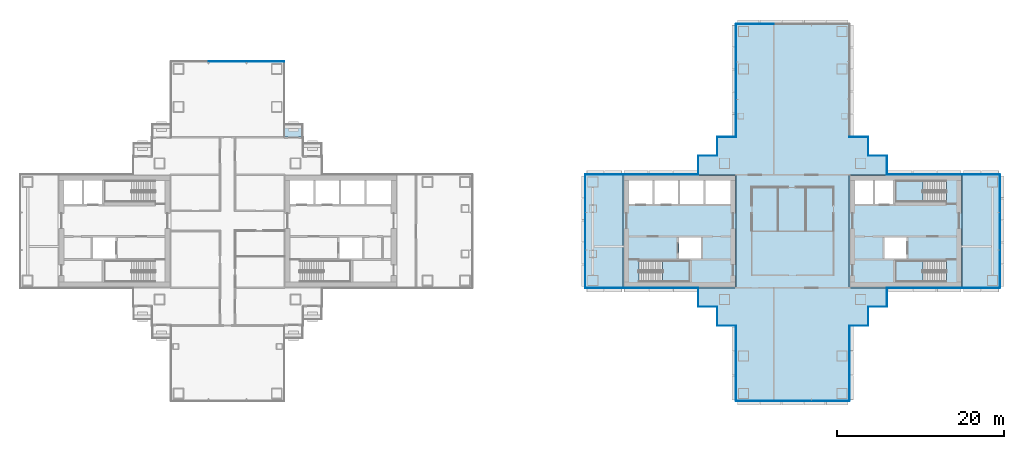
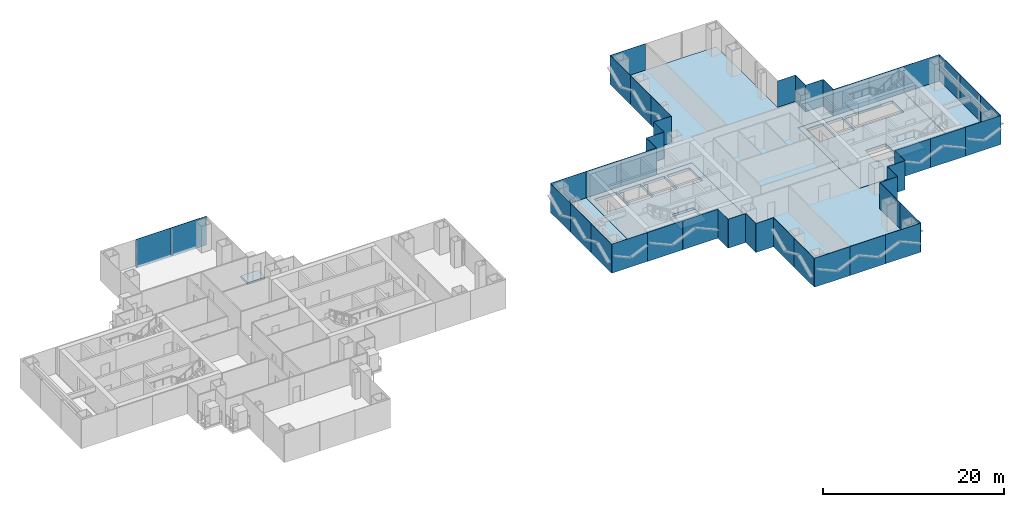
# One storey, part 10 of 20: 47 plates, 9 slabs, 23 elements without a shape of their own.
"""IFC4 building model written with IfcOpenShell, lengths in metres."""

import ifcopenshell
import ifcopenshell.guid

model = None  # the IFC model being written
_history = None  # IfcOwnerHistory: only IFC2X3 demands one
_inside = {}  # id of a spatial element -> (the spatial element, [elements in it])
_under = {}  # id of a project, library or spatial element -> (it, [spatial elements below it])
_declared = {}  # id of a project -> (the project, [libraries it declares])
_typed = {}  # id of a type object -> (the type object, [elements of that type])
_made_of = {}  # id of a material, layer set ... -> (it, [elements and type objects made of it])


def new_model(schema):
    """Start an empty IFC model of exactly this schema.

    Asked for "IFC4X3", IfcOpenShell would pick the latest addendum, in which some entities
    have other attributes; the version numbers below select the first issue.
    IFC2X3 requires an IfcOwnerHistory on every rooted entity: one is made here for all.
    """
    global model, _history
    if schema == "IFC4X3":
        model = ifcopenshell.file(schema_version=(4, 3, 0, 0))
    else:
        model = ifcopenshell.file(schema=schema)
    _inside.clear()
    _under.clear()
    _declared.clear()
    _typed.clear()
    _made_of.clear()
    _history = None
    if model.schema == "IFC2X3":
        org = make("IfcOrganization", Name="unknown")
        user = make(
            "IfcPersonAndOrganization",
            ThePerson=make("IfcPerson", FamilyName="unknown"),
            TheOrganization=org,
        )
        app = make(
            "IfcApplication",
            ApplicationDeveloper=org,
            Version="unknown",
            ApplicationFullName="unknown",
            ApplicationIdentifier="unknown",
        )
        _history = make(
            "IfcOwnerHistory",
            OwningUser=user,
            OwningApplication=app,
            ChangeAction="ADDED",
            CreationDate=0,
        )
    return model


def make(cls, **values):
    """One entity of the class cls with the attributes given. An attribute that is None is left unset."""
    return model.create_entity(
        cls, **{name: value for name, value in values.items() if value is not None}
    )


def rooted(cls, **values):
    """An entity with a GlobalId (a new one), such as an element, a storey or a relation."""
    return make(cls, GlobalId=ifcopenshell.guid.new(), OwnerHistory=_history, **values)


def si_unit(unit_type, name, prefix=None):
    """IfcSIUnit, for example si_unit("LENGTHUNIT", "METRE", prefix="MILLI")."""
    return make("IfcSIUnit", UnitType=unit_type, Prefix=prefix, Name=name)


def assignment(units):
    """IfcUnitAssignment: the units of a project."""
    return None if units is None else make("IfcUnitAssignment", Units=units)


def point(xyz):
    """IfcCartesianPoint."""
    return None if xyz is None else make("IfcCartesianPoint", Coordinates=xyz)


def direction(xyz):
    """IfcDirection."""
    return None if xyz is None else make("IfcDirection", DirectionRatios=xyz)


def frame(location, z_axis=None, x_axis=None):
    """IfcAxis2Placement3D, a coordinate frame: its origin and axes. An axis left out is left unset."""
    return make(
        "IfcAxis2Placement3D",
        Location=point(location),
        Axis=direction(z_axis),
        RefDirection=direction(x_axis),
    )


def frame_2d(location, x_axis=None):
    """IfcAxis2Placement2D, a coordinate frame in the plane: its origin and x axis."""
    return make(
        "IfcAxis2Placement2D", Location=point(location), RefDirection=direction(x_axis)
    )


def origin():
    """The frame at (0, 0, 0) with its axes left unset."""
    return frame((0.0, 0.0, 0.0))


def origin_2d():
    """The frame at (0, 0) in the plane with its x axis left unset."""
    return frame_2d((0.0, 0.0))


def place(relative_to, where):
    """IfcLocalPlacement: puts the frame where relative to a parent placement (None: the world)."""
    return make(
        "IfcLocalPlacement", PlacementRelTo=relative_to, RelativePlacement=where
    )


def context(
    kind, dimensions, precision=None, world=None, true_north=None, identifier=None
):
    """IfcGeometricRepresentationContext, for example the 3D "Model" context."""
    return make(
        "IfcGeometricRepresentationContext",
        ContextIdentifier=identifier,
        ContextType=kind,
        CoordinateSpaceDimension=dimensions,
        Precision=precision,
        WorldCoordinateSystem=world,
        TrueNorth=true_north,
    )


def subcontext(parent, identifier, kind, view, scale=None):
    """IfcGeometricRepresentationSubContext, for example "Body" below "Model"."""
    return make(
        "IfcGeometricRepresentationSubContext",
        ContextIdentifier=identifier,
        ContextType=kind,
        ParentContext=parent,
        TargetScale=scale,
        TargetView=view,
    )


def project(units=None, contexts=None):
    """IfcProject with its units and contexts."""
    return rooted(
        "IfcProject",
        Name="project",
        RepresentationContexts=contexts,
        UnitsInContext=assignment(units),
    )


def spatial(cls, under=None, at=None, **own):
    """A site, building, storey or space (cls), placed at a placement, below another one or the project."""
    s = rooted(cls, ObjectPlacement=at, **own)
    if under is not None:
        _under.setdefault(under.id(), (under, []))[1].append(s)
    return s


def polyline(points):
    """IfcPolyline through the points."""
    return make("IfcPolyline", Points=[point(p) for p in points])


def profile(cls, at=None, kind="AREA", **sizes):
    """A parametric profile (cls). Its sizes go by their IFC names, for example OverallWidth=200.0."""
    return make(cls, ProfileType=kind, Position=at, **sizes)


def rectangle(**sizes):
    """IfcRectangleProfileDef."""
    return profile("IfcRectangleProfileDef", **sizes)


def outline(outer, holes=None, kind="AREA"):
    """IfcArbitraryClosedProfileDef: a profile drawn as a closed curve; with holes, ...WithVoids."""
    if holes is None:
        return make("IfcArbitraryClosedProfileDef", ProfileType=kind, OuterCurve=outer)
    return make(
        "IfcArbitraryProfileDefWithVoids",
        ProfileType=kind,
        OuterCurve=outer,
        InnerCurves=holes,
    )


def extrude(swept, where, along, depth):
    """IfcExtrudedAreaSolid: the profile swept, set in the frame where, extruded along a direction by depth."""
    return make(
        "IfcExtrudedAreaSolid",
        SweptArea=swept,
        Position=where,
        ExtrudedDirection=direction(along),
        Depth=depth,
    )


def shape(context_of_items, identifier, shape_type, items):
    """IfcShapeRepresentation: the items that make up one representation, for example the "Body"."""
    return make(
        "IfcShapeRepresentation",
        ContextOfItems=context_of_items,
        RepresentationIdentifier=identifier,
        RepresentationType=shape_type,
        Items=items,
    )


def material(Name=None, Category=None):
    """IfcMaterial."""
    return make("IfcMaterial", Name=Name, Category=Category)


def layer(
    of_material, thickness, ventilated=None, Name=None, Category=None, Priority=None
):
    """IfcMaterialLayer: one layer of a wall or slab, of a material (None: an air gap)."""
    return make(
        "IfcMaterialLayer",
        Material=of_material,
        LayerThickness=thickness,
        IsVentilated=ventilated,
        Name=Name,
        Category=Category,
        Priority=Priority,
    )


def layer_set(layers, Name=None):
    """IfcMaterialLayerSet."""
    return make("IfcMaterialLayerSet", MaterialLayers=layers, LayerSetName=Name)


def made_of(thing, what):
    """Note that an element or type object is made of a material, layer set ...; save() writes the relation."""
    if what is not None:
        _made_of.setdefault(what.id(), (what, []))[1].append(thing)
    return thing


def type_object(cls, material=None, **own):
    """A type object (cls), such as IfcWallType, which elements share."""
    return made_of(rooted(cls, **own), material)


def element(
    cls,
    number,
    at=None,
    inside=None,
    cuts=None,
    type_object=None,
    material=None,
    context=None,
    identifier="Body",
    shape_type=None,
    held_by="IfcProductDefinitionShape",
    body=None,
    shapes=None,
    **own,
):
    """One element of the class cls, such as IfcWall. Its Tag is "e" and its number.

    at: its placement. inside: the storey or other place that contains it. cuts: it is an
    opening in that element (IfcRelVoidsElement). A single representation is given by context,
    identifier, shape_type and body (its items); several are given by shapes. held_by: the class
    of the entity that holds the representations. save() writes the other relations.
    """
    e = rooted(cls, Tag="e%d" % number, ObjectPlacement=at, **own)
    if body is not None:
        shapes = [shape(context, identifier, shape_type, body)]
    if shapes is not None:
        e.Representation = make(held_by, Representations=shapes)
    if inside is not None:
        _inside.setdefault(inside.id(), (inside, []))[1].append(e)
    if cuts is not None:
        rooted(
            "IfcRelVoidsElement", RelatingBuildingElement=cuts, RelatedOpeningElement=e
        )
    if type_object is not None:
        _typed.setdefault(type_object.id(), (type_object, []))[1].append(e)
    return made_of(e, material)


def aggregate(whole, parts):
    """IfcRelAggregates: a whole, such as a stair, and the parts it consists of."""
    return rooted("IfcRelAggregates", RelatingObject=whole, RelatedObjects=parts)


def save(model, path):
    """Write the relations noted so far, then the file.

    IfcRelAggregates (storeys below a building ...), IfcRelContainedInSpatialStructure (elements
    in a storey), IfcRelDefinesByType, IfcRelAssociatesMaterial and IfcRelDeclares: one each for
    every whole, place, type object, material and project.
    """
    for whole, parts in _under.values():
        aggregate(whole, parts)
    for where, things in _inside.values():
        rooted(
            "IfcRelContainedInSpatialStructure",
            RelatedElements=things,
            RelatingStructure=where,
        )
    for kind, things in _typed.values():
        rooted("IfcRelDefinesByType", RelatedObjects=things, RelatingType=kind)
    for what, things in _made_of.values():
        rooted("IfcRelAssociatesMaterial", RelatedObjects=things, RelatingMaterial=what)
    for by, libraries in _declared.values():
        rooted("IfcRelDeclares", RelatingContext=by, RelatedDefinitions=libraries)
    model.write(path)


model = new_model("IFC4")

# Units and contexts
model_context = context("Model", 3, precision=1e-05, world=origin(), true_north=direction((0.0, 1.0)))
body_context = subcontext(model_context, "Body", "Model", "MODEL_VIEW")
ifc_project = project(units=[si_unit("LENGTHUNIT", "METRE"), si_unit("AREAUNIT", "SQUARE_METRE"), si_unit("VOLUMEUNIT", "CUBIC_METRE"), si_unit("PLANEANGLEUNIT", "RADIAN"), si_unit("MASSUNIT", "GRAM", prefix="KILO")], contexts=[model_context])

# Site, building, storey
site_placement = place(None, origin())
site = spatial("IfcSite", under=ifc_project, at=site_placement, CompositionType="ELEMENT")
building_placement = place(site_placement, origin())
building = spatial("IfcBuilding", under=site, at=building_placement, Name="Shamsa Quay Exchange Towers", CompositionType="ELEMENT")
storey_placement = place(building_placement, frame((0.0, 0.0, 101.39990234375)))
storey = spatial("IfcBuildingStorey", under=building, at=storey_placement, Name="L23", CompositionType="ELEMENT", Elevation=101.39990234375)

# Slabs
ifc_material_1 = material(Name="Precast concrete C40/50", Category="concrete")
ifc_layer_1 = layer(ifc_material_1, 0.25)
ifc_layer_set_1 = layer_set([ifc_layer_1], Name="BALCONY SLAB 250")
slab_type_1 = type_object("IfcSlabType", Name="BALCONY SLAB 250", PredefinedType="FLOOR", material=ifc_layer_set_1)
slab_1_placement = place(storey_placement, frame((0.0, 0.0, -0.25)))
element("IfcSlab", 1, at=slab_1_placement, inside=storey, type_object=slab_type_1, Name="Balcony T1-PKEN L23", PredefinedType="FLOOR", context=body_context, shape_type="SweptSolid", body=[
    extrude(outline(polyline([(-24.75, 11.25), (-26.9619140625, 11.25), (-26.9619140625, 12.800048828125), (-24.75, 12.800048828125), (-24.75, 11.25)])), origin(), (0.0, 0.0, 1.0), 0.25),
])
ifc_material_2 = material(Name="Concrete C50/60", Category="concrete")
ifc_layer_2 = layer(ifc_material_2, 0.35009765625)
ifc_layer_set_2 = layer_set([ifc_layer_2], Name="CORE FLOOR 350 C50/60")
slab_type_2 = type_object("IfcSlabType", Name="CORE FLOOR 350 C50/60", PredefinedType="FLOOR", material=ifc_layer_set_2)
slab_2_placement = place(storey_placement, frame((0.0, 0.0, -0.349853515625)))
element("IfcSlab", 2, at=slab_2_placement, inside=storey, type_object=slab_type_2, Name="Core floor T2A", PredefinedType="FLOOR", context=body_context, shape_type="SweptSolid", body=[
    extrude(outline(polyline([(13.5, -6.75), (27.0, -6.75), (27.0, 6.75), (13.5, 6.75), (13.5, -6.75)]), holes=[polyline([(15.400634765625, -6.050048828125), (15.400634765625, -3.5), (21.5, -3.5), (21.5, -6.050048828125), (15.400634765625, -6.050048828125)]), polyline([(14.199951171875, 3.25), (14.199951171875, 6.050048828125), (17.0, 6.050048828125), (17.0, 3.25), (14.199951171875, 3.25)]), polyline([(17.25, 3.25), (17.25, 6.050048828125), (20.050048828125, 6.050048828125), (20.050048828125, 3.25), (17.25, 3.25)]), polyline([(20.300048828125, 3.25), (20.300048828125, 6.050048828125), (23.10009765625, 6.050048828125), (23.10009765625, 3.25), (20.300048828125, 3.25)]), polyline([(23.35009765625, 3.25), (23.35009765625, 6.050048828125), (26.300048828125, 6.050048828125), (26.300048828125, 3.25), (23.35009765625, 3.25)]), polyline([(20.14990234375, -3.25), (20.14990234375, -0.75), (22.800048828125, -0.75), (22.800048828125, -3.25), (20.14990234375, -3.25)])]), origin(), (0.0, 0.0, 1.0), 0.349853515625),
])
slab_3_placement = place(storey_placement, frame((0.0, 0.0, -0.349853515625)))
element("IfcSlab", 3, at=slab_3_placement, inside=storey, type_object=slab_type_2, Name="Core floor T2B", PredefinedType="FLOOR", context=body_context, shape_type="SweptSolid", body=[
    extrude(outline(polyline([(54.0, -6.75), (54.0, 6.75), (40.5, 6.75), (40.5, -6.75), (54.0, -6.75)]), holes=[polyline([(52.099365234375, -3.5), (52.099365234375, -6.050048828125), (46.0, -6.050048828125), (46.0, -3.5), (52.099365234375, -3.5)]), polyline([(52.099365234375, 6.050048828125), (52.099365234375, 3.5), (46.0, 3.5), (46.0, 6.050048828125), (52.099365234375, 6.050048828125)]), polyline([(45.75, 3.25), (43.60009765625, 3.25), (43.60009765625, 6.050048828125), (45.75, 6.050048828125), (45.75, 3.25)]), polyline([(43.35009765625, 3.25), (41.199951171875, 3.25), (41.199951171875, 6.050048828125), (43.35009765625, 6.050048828125), (43.35009765625, 3.25)]), polyline([(47.35009765625, -3.25), (44.699951171875, -3.25), (44.699951171875, -0.75), (47.35009765625, -0.75), (47.35009765625, -3.25)])]), origin(), (0.0, 0.0, 1.0), 0.349853515625),
])

# Stair, slab
ifc_material_3 = material(Name="Concrete C40/50", Category="concrete")
stair_type = type_object("IfcStairType", Name="EXIT STAIR 22 RISERS 177 MM", PredefinedType="HALF_TURN_STAIR", material=ifc_material_3)
stair_1_placement = place(storey_placement, origin())
stair_1 = element("IfcStair", 4, at=stair_1_placement, inside=storey, type_object=stair_type, Name="L23 Exit stair ST4", PredefinedType="HALF_TURN_STAIR")
ifc_layer_3 = layer(ifc_material_3, 0.199951171875)
ifc_layer_set_3 = layer_set([ifc_layer_3], Name="CORE STAIR LANDING")
slab_type_3 = type_object("IfcSlabType", Name="CORE STAIR LANDING", PredefinedType="LANDING", material=ifc_layer_set_3)
slab_4_placement = place(storey_placement, frame((0.0, 0.0, 1.75)))
slab_4 = element("IfcSlab", 5, at=slab_4_placement, type_object=slab_type_3, Name="ST4 landing 1", PredefinedType="LANDING", context=body_context, shape_type="SweptSolid", body=[
    extrude(outline(polyline([(18.199951171875, -6.050048828125), (21.5, -6.050048828125), (21.5, -3.5), (18.199951171875, -3.5), (18.199951171875, -6.050048828125)])), origin(), (0.0, 0.0, 1.0), 0.2001953125),
])
aggregate(stair_1, [slab_4])

stair_2_placement = place(storey_placement, origin())
stair_2 = element("IfcStair", 6, at=stair_2_placement, inside=storey, type_object=stair_type, Name="L23 Exit stair ST5", PredefinedType="HALF_TURN_STAIR")
slab_5_placement = place(storey_placement, frame((0.0, 0.0, 1.75)))
slab_5 = element("IfcSlab", 7, at=slab_5_placement, type_object=slab_type_3, Name="ST5 landing 1", PredefinedType="LANDING", context=body_context, shape_type="SweptSolid", body=[
    extrude(outline(polyline([(49.300048828125, -3.5), (46.0, -3.5), (46.0, -6.050048828125), (49.300048828125, -6.050048828125), (49.300048828125, -3.5)])), origin(), (0.0, 0.0, 1.0), 0.2001953125),
])
aggregate(stair_2, [slab_5])

stair_3_placement = place(storey_placement, origin())
stair_3 = element("IfcStair", 8, at=stair_3_placement, inside=storey, type_object=stair_type, Name="L23 Exit stair ST6", PredefinedType="HALF_TURN_STAIR")
slab_6_placement = place(storey_placement, frame((0.0, 0.0, 1.75)))
slab_6 = element("IfcSlab", 9, at=slab_6_placement, type_object=slab_type_3, Name="ST6 landing 1", PredefinedType="LANDING", context=body_context, shape_type="SweptSolid", body=[
    extrude(outline(polyline([(49.300048828125, 6.050048828125), (46.0, 6.050048828125), (46.0, 3.5), (49.300048828125, 3.5), (49.300048828125, 6.050048828125)])), origin(), (0.0, 0.0, 1.0), 0.2001953125),
])
aggregate(stair_3, [slab_6])

# Curtain wall, plates
ifc_material_4 = material(Name="Aluminium EN AW-6063 T6, black anodised", Category="aluminium")
ifc_layer_4 = layer(ifc_material_4, 0.280029296875)
ifc_layer_set_4 = layer_set([ifc_layer_4], Name="CW-1 UNITISED VISION GLASS")
curtain_wall_type_1 = type_object("IfcCurtainWallType", Name="CW-1 UNITISED VISION GLASS", PredefinedType="NOTDEFINED", material=ifc_layer_set_4)
curtain_wall_1_placement = place(storey_placement, origin())
curtain_wall_1 = element("IfcCurtainWall", 10, at=curtain_wall_1_placement, inside=storey, type_object=curtain_wall_type_1, Name="CW1 T1-END-V+ L23", PredefinedType="NOTDEFINED")
ifc_material_5 = material(Name="Glass, laminated, dark tinted", Category="glass")
ifc_layer_5 = layer(ifc_material_5, 0.0400390625)
ifc_layer_set_5 = layer_set([ifc_layer_5], Name="CW-1 VISION GLASS 40")
plate_type_1 = type_object("IfcPlateType", Name="CW-1 VISION GLASS 40", PredefinedType="CURTAIN_PANEL", material=ifc_layer_set_5)
plate_1_placement = place(storey_placement, frame((-29.24755859375, 20.27001953125, -0.349853515625), z_axis=(0.0, 0.0, 1.0), x_axis=(-1.0, 0.0, 0.0)))
plate_1 = element("IfcPlate", 11, at=plate_1_placement, type_object=plate_type_1, Name="CW1 glass panel", PredefinedType="CURTAIN_PANEL", context=body_context, shape_type="SweptSolid", body=[
    extrude(rectangle(XDim=4.4951171875, YDim=0.0400390625, at=origin_2d()), origin(), (0.0, 0.0, 1.0), 3.89990234375),
])
plate_2_placement = place(storey_placement, frame((-33.75, 20.27001953125, -0.349853515625), z_axis=(0.0, 0.0, 1.0), x_axis=(-1.0, 0.0, 0.0)))
plate_2 = element("IfcPlate", 12, at=plate_2_placement, type_object=plate_type_1, Name="CW1 glass panel", PredefinedType="CURTAIN_PANEL", context=body_context, shape_type="SweptSolid", body=[
    extrude(rectangle(XDim=4.489990234375, YDim=0.0400390625, at=origin_2d()), origin(), (0.0, 0.0, 1.0), 3.89990234375),
])
aggregate(curtain_wall_1, [plate_1, plate_2])

# Curtain wall, plate
curtain_wall_2_placement = place(storey_placement, origin())
curtain_wall_2 = element("IfcCurtainWall", 13, at=curtain_wall_2_placement, inside=storey, type_object=curtain_wall_type_1, Name="CW1 T2-FLK-V-W L23", PredefinedType="NOTDEFINED")
plate_3_placement = place(storey_placement, frame((56.25, -6.77001953125, -0.349853515625)))
plate_3 = element("IfcPlate", 14, at=plate_3_placement, type_object=plate_type_1, Name="CW1 glass panel", PredefinedType="CURTAIN_PANEL", context=body_context, shape_type="SweptSolid", body=[
    extrude(rectangle(XDim=4.5, YDim=0.0400390625, at=origin_2d()), origin(), (0.0, 0.0, 1.0), 3.89990234375),
])
aggregate(curtain_wall_2, [plate_3])

# Curtain wall, plates
curtain_wall_3_placement = place(storey_placement, origin())
curtain_wall_3 = element("IfcCurtainWall", 15, at=curtain_wall_3_placement, inside=storey, type_object=curtain_wall_type_1, Name="CW1 T2-END-V- L23", PredefinedType="NOTDEFINED")
plate_4_placement = place(storey_placement, frame((58.52001953125, -4.50244140625, -0.349853515625), z_axis=(0.0, 0.0, 1.0), x_axis=(0.0, 1.0, 0.0)))
plate_4 = element("IfcPlate", 16, at=plate_4_placement, type_object=plate_type_1, Name="CW1 glass panel", PredefinedType="CURTAIN_PANEL", context=body_context, shape_type="SweptSolid", body=[
    extrude(rectangle(XDim=4.4951171875, YDim=0.0400390625, at=origin_2d()), origin(), (0.0, 0.0, 1.0), 3.89990234375),
])
plate_5_placement = place(storey_placement, frame((58.52001953125, 0.0, -0.349853515625), z_axis=(0.0, 0.0, 1.0), x_axis=(0.0, 1.0, 0.0)))
plate_5 = element("IfcPlate", 17, at=plate_5_placement, type_object=plate_type_1, Name="CW1 glass panel", PredefinedType="CURTAIN_PANEL", context=body_context, shape_type="SweptSolid", body=[
    extrude(rectangle(XDim=4.489990234375, YDim=0.0400390625, at=origin_2d()), origin(), (0.0, 0.0, 1.0), 3.89990234375),
])
plate_6_placement = place(storey_placement, frame((58.52001953125, 4.50244140625, -0.349853515625), z_axis=(0.0, 0.0, 1.0), x_axis=(0.0, 1.0, 0.0)))
plate_6 = element("IfcPlate", 18, at=plate_6_placement, type_object=plate_type_1, Name="CW1 glass panel", PredefinedType="CURTAIN_PANEL", context=body_context, shape_type="SweptSolid", body=[
    extrude(rectangle(XDim=4.4951171875, YDim=0.0400390625, at=origin_2d()), origin(), (0.0, 0.0, 1.0), 3.89990234375),
])
aggregate(curtain_wall_3, [plate_4, plate_5, plate_6])

# Curtain wall, plate
curtain_wall_4_placement = place(storey_placement, origin())
curtain_wall_4 = element("IfcCurtainWall", 19, at=curtain_wall_4_placement, inside=storey, type_object=curtain_wall_type_1, Name="CW1 T2-FLK-V-E L23", PredefinedType="NOTDEFINED")
plate_7_placement = place(storey_placement, frame((56.25, 6.77001953125, -0.349853515625), z_axis=(0.0, 0.0, 1.0), x_axis=(-1.0, 0.0, 0.0)))
plate_7 = element("IfcPlate", 20, at=plate_7_placement, type_object=plate_type_1, Name="CW1 glass panel", PredefinedType="CURTAIN_PANEL", context=body_context, shape_type="SweptSolid", body=[
    extrude(rectangle(XDim=4.5, YDim=0.0400390625, at=origin_2d()), origin(), (0.0, 0.0, 1.0), 3.89990234375),
])
aggregate(curtain_wall_4, [plate_7])

curtain_wall_5_placement = place(storey_placement, origin())
curtain_wall_5 = element("IfcCurtainWall", 21, at=curtain_wall_5_placement, inside=storey, type_object=curtain_wall_type_1, Name="CW1 T2-END-U+ L23", PredefinedType="NOTDEFINED")
plate_8_placement = place(storey_placement, frame((29.24755859375, 24.77001953125, -0.349853515625), z_axis=(0.0, 0.0, 1.0), x_axis=(-1.0, 0.0, 0.0)))
plate_8 = element("IfcPlate", 22, at=plate_8_placement, type_object=plate_type_1, Name="CW1 glass panel", PredefinedType="CURTAIN_PANEL", context=body_context, shape_type="SweptSolid", body=[
    extrude(rectangle(XDim=4.4951171875, YDim=0.0400390625, at=origin_2d()), origin(), (0.0, 0.0, 1.0), 3.89990234375),
])
aggregate(curtain_wall_5, [plate_8])

# Curtain wall, plates
curtain_wall_6_placement = place(storey_placement, origin())
curtain_wall_6 = element("IfcCurtainWall", 23, at=curtain_wall_6_placement, inside=storey, type_object=curtain_wall_type_1, Name="CW1 T2-FLK-U+N L23", PredefinedType="NOTDEFINED")
plate_9_placement = place(storey_placement, frame((26.97998046875, 22.50244140625, -0.349853515625), z_axis=(0.0, 0.0, 1.0), x_axis=(0.0, -1.0, 0.0)))
plate_9 = element("IfcPlate", 24, at=plate_9_placement, type_object=plate_type_1, Name="CW1 glass panel", PredefinedType="CURTAIN_PANEL", context=body_context, shape_type="SweptSolid", body=[
    extrude(rectangle(XDim=4.4951171875, YDim=0.0400390625, at=origin_2d()), origin(), (0.0, 0.0, 1.0), 3.89990234375),
])
plate_10_placement = place(storey_placement, frame((26.97998046875, 18.0, -0.349853515625), z_axis=(0.0, 0.0, 1.0), x_axis=(0.0, -1.0, 0.0)))
plate_10 = element("IfcPlate", 25, at=plate_10_placement, type_object=plate_type_1, Name="CW1 glass panel", PredefinedType="CURTAIN_PANEL", context=body_context, shape_type="SweptSolid", body=[
    extrude(rectangle(XDim=4.489990234375, YDim=0.0400390625, at=origin_2d()), origin(), (0.0, 0.0, 1.0), 3.89990234375),
])
plate_11_placement = place(storey_placement, frame((26.97998046875, 13.49755859375, -0.349853515625), z_axis=(0.0, 0.0, 1.0), x_axis=(0.0, -1.0, 0.0)))
plate_11 = element("IfcPlate", 26, at=plate_11_placement, type_object=plate_type_1, Name="CW1 glass panel", PredefinedType="CURTAIN_PANEL", context=body_context, shape_type="SweptSolid", body=[
    extrude(rectangle(XDim=4.4951171875, YDim=0.0400390625, at=origin_2d()), origin(), (0.0, 0.0, 1.0), 3.89990234375),
])
aggregate(curtain_wall_6, [plate_9, plate_10, plate_11])

# Curtain wall, plate
curtain_wall_7_placement = place(storey_placement, origin())
curtain_wall_7 = element("IfcCurtainWall", 27, at=curtain_wall_7_placement, inside=storey, type_object=curtain_wall_type_1, Name="CW1 T2-FLK-V+E L23", PredefinedType="NOTDEFINED")
plate_12_placement = place(storey_placement, frame((11.25, 6.77001953125, -0.349853515625), z_axis=(0.0, 0.0, 1.0), x_axis=(-1.0, 0.0, 0.0)))
plate_12 = element("IfcPlate", 28, at=plate_12_placement, type_object=plate_type_1, Name="CW1 glass panel", PredefinedType="CURTAIN_PANEL", context=body_context, shape_type="SweptSolid", body=[
    extrude(rectangle(XDim=4.5, YDim=0.0400390625, at=origin_2d()), origin(), (0.0, 0.0, 1.0), 3.89990234375),
])
aggregate(curtain_wall_7, [plate_12])

# Curtain wall, plates
curtain_wall_8_placement = place(storey_placement, origin())
curtain_wall_8 = element("IfcCurtainWall", 29, at=curtain_wall_8_placement, inside=storey, type_object=curtain_wall_type_1, Name="CW1 T2-END-V+ L23", PredefinedType="NOTDEFINED")
plate_13_placement = place(storey_placement, frame((8.97998046875, 4.50244140625, -0.349853515625), z_axis=(0.0, 0.0, 1.0), x_axis=(0.0, -1.0, 0.0)))
plate_13 = element("IfcPlate", 30, at=plate_13_placement, type_object=plate_type_1, Name="CW1 glass panel", PredefinedType="CURTAIN_PANEL", context=body_context, shape_type="SweptSolid", body=[
    extrude(rectangle(XDim=4.4951171875, YDim=0.0400390625, at=origin_2d()), origin(), (0.0, 0.0, 1.0), 3.89990234375),
])
plate_14_placement = place(storey_placement, frame((8.97998046875, 0.0, -0.349853515625), z_axis=(0.0, 0.0, 1.0), x_axis=(0.0, -1.0, 0.0)))
plate_14 = element("IfcPlate", 31, at=plate_14_placement, type_object=plate_type_1, Name="CW1 glass panel", PredefinedType="CURTAIN_PANEL", context=body_context, shape_type="SweptSolid", body=[
    extrude(rectangle(XDim=4.489990234375, YDim=0.0400390625, at=origin_2d()), origin(), (0.0, 0.0, 1.0), 3.89990234375),
])
plate_15_placement = place(storey_placement, frame((8.97998046875, -4.50244140625, -0.349853515625), z_axis=(0.0, 0.0, 1.0), x_axis=(0.0, -1.0, 0.0)))
plate_15 = element("IfcPlate", 32, at=plate_15_placement, type_object=plate_type_1, Name="CW1 glass panel", PredefinedType="CURTAIN_PANEL", context=body_context, shape_type="SweptSolid", body=[
    extrude(rectangle(XDim=4.4951171875, YDim=0.0400390625, at=origin_2d()), origin(), (0.0, 0.0, 1.0), 3.89990234375),
])
aggregate(curtain_wall_8, [plate_13, plate_14, plate_15])

# Curtain wall, plate
curtain_wall_9_placement = place(storey_placement, origin())
curtain_wall_9 = element("IfcCurtainWall", 33, at=curtain_wall_9_placement, inside=storey, type_object=curtain_wall_type_1, Name="CW1 T2-FLK-V+W L23", PredefinedType="NOTDEFINED")
plate_16_placement = place(storey_placement, frame((11.25, -6.77001953125, -0.349853515625)))
plate_16 = element("IfcPlate", 34, at=plate_16_placement, type_object=plate_type_1, Name="CW1 glass panel", PredefinedType="CURTAIN_PANEL", context=body_context, shape_type="SweptSolid", body=[
    extrude(rectangle(XDim=4.5, YDim=0.0400390625, at=origin_2d()), origin(), (0.0, 0.0, 1.0), 3.89990234375),
])
aggregate(curtain_wall_9, [plate_16])

# Curtain wall, plates
curtain_wall_10_placement = place(storey_placement, origin())
curtain_wall_10 = element("IfcCurtainWall", 35, at=curtain_wall_10_placement, inside=storey, type_object=curtain_wall_type_1, Name="CW1 T2-FLK-U-N L23", PredefinedType="NOTDEFINED")
plate_17_placement = place(storey_placement, frame((26.97998046875, -13.52587890625, -0.349853515625), z_axis=(0.0, 0.0, 1.0), x_axis=(0.0, -1.0, 0.0)))
plate_17 = element("IfcPlate", 36, at=plate_17_placement, type_object=plate_type_1, Name="CW1 glass panel", PredefinedType="CURTAIN_PANEL", context=body_context, shape_type="SweptSolid", body=[
    extrude(rectangle(XDim=4.47607421875, YDim=0.0400390625, at=origin_2d()), origin(), (0.0, 0.0, 1.0), 3.89990234375),
])
plate_18_placement = place(storey_placement, frame((26.97998046875, -18.011962890625, -0.349853515625), z_axis=(0.0, 0.0, 1.0), x_axis=(0.0, -1.0, 0.0)))
plate_18 = element("IfcPlate", 37, at=plate_18_placement, type_object=plate_type_1, Name="CW1 glass panel", PredefinedType="CURTAIN_PANEL", context=body_context, shape_type="SweptSolid", body=[
    extrude(rectangle(XDim=4.47607421875, YDim=0.0400390625, at=origin_2d()), origin(), (0.0, 0.0, 1.0), 3.89990234375),
])
aggregate(curtain_wall_10, [plate_17, plate_18])

curtain_wall_11_placement = place(storey_placement, origin())
curtain_wall_11 = element("IfcCurtainWall", 38, at=curtain_wall_11_placement, inside=storey, type_object=curtain_wall_type_1, Name="CW1 T2-END-U- L23", PredefinedType="NOTDEFINED")
plate_19_placement = place(storey_placement, frame((29.24755859375, -20.27001953125, -0.349853515625)))
plate_19 = element("IfcPlate", 39, at=plate_19_placement, type_object=plate_type_1, Name="CW1 glass panel", PredefinedType="CURTAIN_PANEL", context=body_context, shape_type="SweptSolid", body=[
    extrude(rectangle(XDim=4.4951171875, YDim=0.0400390625, at=origin_2d()), origin(), (0.0, 0.0, 1.0), 3.89990234375),
])
plate_20_placement = place(storey_placement, frame((33.75, -20.27001953125, -0.349853515625)))
plate_20 = element("IfcPlate", 40, at=plate_20_placement, type_object=plate_type_1, Name="CW1 glass panel", PredefinedType="CURTAIN_PANEL", context=body_context, shape_type="SweptSolid", body=[
    extrude(rectangle(XDim=4.489990234375, YDim=0.0400390625, at=origin_2d()), origin(), (0.0, 0.0, 1.0), 3.89990234375),
])
plate_21_placement = place(storey_placement, frame((38.25244140625, -20.27001953125, -0.349853515625)))
plate_21 = element("IfcPlate", 41, at=plate_21_placement, type_object=plate_type_1, Name="CW1 glass panel", PredefinedType="CURTAIN_PANEL", context=body_context, shape_type="SweptSolid", body=[
    extrude(rectangle(XDim=4.4951171875, YDim=0.0400390625, at=origin_2d()), origin(), (0.0, 0.0, 1.0), 3.89990234375),
])
aggregate(curtain_wall_11, [plate_19, plate_20, plate_21])

curtain_wall_12_placement = place(storey_placement, origin())
curtain_wall_12 = element("IfcCurtainWall", 42, at=curtain_wall_12_placement, inside=storey, type_object=curtain_wall_type_1, Name="CW1 T2-FLK-U-S L23", PredefinedType="NOTDEFINED")
plate_22_placement = place(storey_placement, frame((40.52001953125, -18.00244140625, -0.349853515625), z_axis=(0.0, 0.0, 1.0), x_axis=(0.0, 1.0, 0.0)))
plate_22 = element("IfcPlate", 43, at=plate_22_placement, type_object=plate_type_1, Name="CW1 glass panel", PredefinedType="CURTAIN_PANEL", context=body_context, shape_type="SweptSolid", body=[
    extrude(rectangle(XDim=4.4951171875, YDim=0.0400390625, at=origin_2d()), origin(), (0.0, 0.0, 1.0), 3.89990234375),
])
plate_23_placement = place(storey_placement, frame((40.52001953125, -13.49755859375, -0.349853515625), z_axis=(0.0, 0.0, 1.0), x_axis=(0.0, 1.0, 0.0)))
plate_23 = element("IfcPlate", 44, at=plate_23_placement, type_object=plate_type_1, Name="CW1 glass panel", PredefinedType="CURTAIN_PANEL", context=body_context, shape_type="SweptSolid", body=[
    extrude(rectangle(XDim=4.4951171875, YDim=0.0400390625, at=origin_2d()), origin(), (0.0, 0.0, 1.0), 3.89990234375),
])
aggregate(curtain_wall_12, [plate_22, plate_23])

ifc_layer_6 = layer(ifc_material_4, 0.303955078125)
ifc_layer_set_6 = layer_set([ifc_layer_6], Name="CW-2 UNITISED OPAQUE SPANDREL GLASS")
curtain_wall_type_2 = type_object("IfcCurtainWallType", Name="CW-2 UNITISED OPAQUE SPANDREL GLASS", PredefinedType="NOTDEFINED", material=ifc_layer_set_6)
curtain_wall_13_placement = place(storey_placement, origin())
curtain_wall_13 = element("IfcCurtainWall", 45, at=curtain_wall_13_placement, inside=storey, type_object=curtain_wall_type_2, Name="CW2 T2-FLK-V-W L23", PredefinedType="NOTDEFINED")
ifc_material_6 = material(Name="Glass, laminated, black enamelled opaque", Category="glass")
ifc_layer_7 = layer(ifc_material_6, 0.0439453125)
ifc_layer_set_7 = layer_set([ifc_layer_7], Name="CW-2 SPANDREL GLASS 44")
plate_type_2 = type_object("IfcPlateType", Name="CW-2 SPANDREL GLASS 44", PredefinedType="CURTAIN_PANEL", material=ifc_layer_set_7)
plate_24_placement = place(storey_placement, frame((47.27587890625, -6.77197265625, -0.349853515625)))
plate_24 = element("IfcPlate", 46, at=plate_24_placement, type_object=plate_type_2, Name="CW2 glass panel", PredefinedType="CURTAIN_PANEL", context=body_context, shape_type="SweptSolid", body=[
    extrude(rectangle(XDim=4.47607421875, YDim=0.0439453125, at=origin_2d()), origin(), (0.0, 0.0, 1.0), 3.89990234375),
])
plate_25_placement = place(storey_placement, frame((51.761962890625, -6.77197265625, -0.349853515625)))
plate_25 = element("IfcPlate", 47, at=plate_25_placement, type_object=plate_type_2, Name="CW2 glass panel", PredefinedType="CURTAIN_PANEL", context=body_context, shape_type="SweptSolid", body=[
    extrude(rectangle(XDim=4.47607421875, YDim=0.0439453125, at=origin_2d()), origin(), (0.0, 0.0, 1.0), 3.89990234375),
])
aggregate(curtain_wall_13, [plate_24, plate_25])

curtain_wall_14_placement = place(storey_placement, origin())
curtain_wall_14 = element("IfcCurtainWall", 48, at=curtain_wall_14_placement, inside=storey, type_object=curtain_wall_type_2, Name="CW2 T2-FLK-V-E L23", PredefinedType="NOTDEFINED")
plate_26_placement = place(storey_placement, frame((51.75244140625, 6.77197265625, -0.349853515625), z_axis=(0.0, 0.0, 1.0), x_axis=(-1.0, 0.0, 0.0)))
plate_26 = element("IfcPlate", 49, at=plate_26_placement, type_object=plate_type_2, Name="CW2 glass panel", PredefinedType="CURTAIN_PANEL", context=body_context, shape_type="SweptSolid", body=[
    extrude(rectangle(XDim=4.4951171875, YDim=0.0439453125, at=origin_2d()), origin(), (0.0, 0.0, 1.0), 3.89990234375),
])
plate_27_placement = place(storey_placement, frame((47.24755859375, 6.77197265625, -0.349853515625), z_axis=(0.0, 0.0, 1.0), x_axis=(-1.0, 0.0, 0.0)))
plate_27 = element("IfcPlate", 50, at=plate_27_placement, type_object=plate_type_2, Name="CW2 glass panel", PredefinedType="CURTAIN_PANEL", context=body_context, shape_type="SweptSolid", body=[
    extrude(rectangle(XDim=4.4951171875, YDim=0.0439453125, at=origin_2d()), origin(), (0.0, 0.0, 1.0), 3.89990234375),
])
aggregate(curtain_wall_14, [plate_26, plate_27])

curtain_wall_15_placement = place(storey_placement, origin())
curtain_wall_15 = element("IfcCurtainWall", 51, at=curtain_wall_15_placement, inside=storey, type_object=curtain_wall_type_2, Name="CW2 T2-FLK-V+E L23", PredefinedType="NOTDEFINED")
plate_28_placement = place(storey_placement, frame((20.22412109375, 6.77197265625, -0.349853515625), z_axis=(0.0, 0.0, 1.0), x_axis=(-1.0, 0.0, 0.0)))
plate_28 = element("IfcPlate", 52, at=plate_28_placement, type_object=plate_type_2, Name="CW2 glass panel", PredefinedType="CURTAIN_PANEL", context=body_context, shape_type="SweptSolid", body=[
    extrude(rectangle(XDim=4.47607421875, YDim=0.0439453125, at=origin_2d()), origin(), (0.0, 0.0, 1.0), 3.89990234375),
])
plate_29_placement = place(storey_placement, frame((15.738037109375, 6.77197265625, -0.349853515625), z_axis=(0.0, 0.0, 1.0), x_axis=(-1.0, 0.0, 0.0)))
plate_29 = element("IfcPlate", 53, at=plate_29_placement, type_object=plate_type_2, Name="CW2 glass panel", PredefinedType="CURTAIN_PANEL", context=body_context, shape_type="SweptSolid", body=[
    extrude(rectangle(XDim=4.47607421875, YDim=0.0439453125, at=origin_2d()), origin(), (0.0, 0.0, 1.0), 3.89990234375),
])
aggregate(curtain_wall_15, [plate_28, plate_29])

curtain_wall_16_placement = place(storey_placement, origin())
curtain_wall_16 = element("IfcCurtainWall", 54, at=curtain_wall_16_placement, inside=storey, type_object=curtain_wall_type_2, Name="CW2 T2-FLK-V+W L23", PredefinedType="NOTDEFINED")
plate_30_placement = place(storey_placement, frame((15.74755859375, -6.77197265625, -0.349853515625)))
plate_30 = element("IfcPlate", 55, at=plate_30_placement, type_object=plate_type_2, Name="CW2 glass panel", PredefinedType="CURTAIN_PANEL", context=body_context, shape_type="SweptSolid", body=[
    extrude(rectangle(XDim=4.4951171875, YDim=0.0439453125, at=origin_2d()), origin(), (0.0, 0.0, 1.0), 3.89990234375),
])
plate_31_placement = place(storey_placement, frame((20.25244140625, -6.77197265625, -0.349853515625)))
plate_31 = element("IfcPlate", 56, at=plate_31_placement, type_object=plate_type_2, Name="CW2 glass panel", PredefinedType="CURTAIN_PANEL", context=body_context, shape_type="SweptSolid", body=[
    extrude(rectangle(XDim=4.4951171875, YDim=0.0439453125, at=origin_2d()), origin(), (0.0, 0.0, 1.0), 3.89990234375),
])
aggregate(curtain_wall_16, [plate_30, plate_31])

ifc_layer_8 = layer(ifc_material_4, 0.256103515625)
ifc_layer_set_8 = layer_set([ifc_layer_8], Name="CW-4 POCKET SERRATED GLAZING")
curtain_wall_type_3 = type_object("IfcCurtainWallType", Name="CW-4 POCKET SERRATED GLAZING", PredefinedType="NOTDEFINED", material=ifc_layer_set_8)
curtain_wall_17_placement = place(storey_placement, origin())
curtain_wall_17 = element("IfcCurtainWall", 57, at=curtain_wall_17_placement, inside=storey, type_object=curtain_wall_type_3, Name="CW4 PKWS L23", PredefinedType="NOTDEFINED")
ifc_layer_9 = layer(ifc_material_5, 0.035888671875)
ifc_layer_set_9 = layer_set([ifc_layer_9], Name="CW-4 POCKET GLASS 36")
plate_type_3 = type_object("IfcPlateType", Name="CW-4 POCKET GLASS 36", PredefinedType="CURTAIN_PANEL", material=ifc_layer_set_9)
plate_32_placement = place(storey_placement, frame((43.89404296875, -9.01806640625, -0.349853515625)))
plate_32 = element("IfcPlate", 58, at=plate_32_placement, type_object=plate_type_3, Name="CW4 glass panel", PredefinedType="CURTAIN_PANEL", context=body_context, shape_type="SweptSolid", body=[
    extrude(rectangle(XDim=2.2119140625, YDim=0.035888671875, at=origin_2d()), origin(), (0.0, 0.0, 1.0), 3.89990234375),
])
plate_33_placement = place(storey_placement, frame((45.01806640625, -7.875, -0.349853515625), z_axis=(0.0, 0.0, 1.0), x_axis=(0.0, 1.0, 0.0)))
plate_33 = element("IfcPlate", 59, at=plate_33_placement, type_object=plate_type_3, Name="CW4 glass panel", PredefinedType="CURTAIN_PANEL", context=body_context, shape_type="SweptSolid", body=[
    extrude(rectangle(XDim=2.25, YDim=0.035888671875, at=origin_2d()), origin(), (0.0, 0.0, 1.0), 3.89990234375),
])
plate_34_placement = place(storey_placement, frame((41.64599609375, -11.26806640625, -0.349853515625)))
plate_34 = element("IfcPlate", 60, at=plate_34_placement, type_object=plate_type_3, Name="CW4 glass panel", PredefinedType="CURTAIN_PANEL", context=body_context, shape_type="SweptSolid", body=[
    extrude(rectangle(XDim=2.2080078125, YDim=0.035888671875, at=origin_2d()), origin(), (0.0, 0.0, 1.0), 3.89990234375),
])
plate_35_placement = place(storey_placement, frame((42.76806640625, -10.125, -0.349853515625), z_axis=(0.0, 0.0, 1.0), x_axis=(0.0, 1.0, 0.0)))
plate_35 = element("IfcPlate", 61, at=plate_35_placement, type_object=plate_type_3, Name="CW4 glass panel", PredefinedType="CURTAIN_PANEL", context=body_context, shape_type="SweptSolid", body=[
    extrude(rectangle(XDim=2.25, YDim=0.035888671875, at=origin_2d()), origin(), (0.0, 0.0, 1.0), 3.89990234375),
])
aggregate(curtain_wall_17, [plate_32, plate_33, plate_34, plate_35])

curtain_wall_18_placement = place(storey_placement, origin())
curtain_wall_18 = element("IfcCurtainWall", 62, at=curtain_wall_18_placement, inside=storey, type_object=curtain_wall_type_3, Name="CW4 PKES L23", PredefinedType="NOTDEFINED")
plate_36_placement = place(storey_placement, frame((45.01806640625, 7.89794921875, -0.349853515625), z_axis=(0.0, 0.0, 1.0), x_axis=(0.0, 1.0, 0.0)))
plate_36 = element("IfcPlate", 63, at=plate_36_placement, type_object=plate_type_3, Name="CW4 glass panel", PredefinedType="CURTAIN_PANEL", context=body_context, shape_type="SweptSolid", body=[
    extrude(rectangle(XDim=2.2041015625, YDim=0.035888671875, at=origin_2d()), origin(), (0.0, 0.0, 1.0), 3.89990234375),
])
plate_37_placement = place(storey_placement, frame((43.875, 9.01806640625, -0.349853515625), z_axis=(0.0, 0.0, 1.0), x_axis=(-1.0, 0.0, 0.0)))
plate_37 = element("IfcPlate", 64, at=plate_37_placement, type_object=plate_type_3, Name="CW4 glass panel", PredefinedType="CURTAIN_PANEL", context=body_context, shape_type="SweptSolid", body=[
    extrude(rectangle(XDim=2.25, YDim=0.035888671875, at=origin_2d()), origin(), (0.0, 0.0, 1.0), 3.89990234375),
])
plate_38_placement = place(storey_placement, frame((42.76806640625, 10.14404296875, -0.349853515625), z_axis=(0.0, 0.0, 1.0), x_axis=(0.0, 1.0, 0.0)))
plate_38 = element("IfcPlate", 65, at=plate_38_placement, type_object=plate_type_3, Name="CW4 glass panel", PredefinedType="CURTAIN_PANEL", context=body_context, shape_type="SweptSolid", body=[
    extrude(rectangle(XDim=2.2119140625, YDim=0.035888671875, at=origin_2d()), origin(), (0.0, 0.0, 1.0), 3.89990234375),
])
plate_39_placement = place(storey_placement, frame((41.625, 11.26806640625, -0.349853515625), z_axis=(0.0, 0.0, 1.0), x_axis=(-1.0, 0.0, 0.0)))
plate_39 = element("IfcPlate", 66, at=plate_39_placement, type_object=plate_type_3, Name="CW4 glass panel", PredefinedType="CURTAIN_PANEL", context=body_context, shape_type="SweptSolid", body=[
    extrude(rectangle(XDim=2.25, YDim=0.035888671875, at=origin_2d()), origin(), (0.0, 0.0, 1.0), 3.89990234375),
])
aggregate(curtain_wall_18, [plate_36, plate_37, plate_38, plate_39])

curtain_wall_19_placement = place(storey_placement, origin())
curtain_wall_19 = element("IfcCurtainWall", 67, at=curtain_wall_19_placement, inside=storey, type_object=curtain_wall_type_3, Name="CW4 PKEN L23", PredefinedType="NOTDEFINED")
plate_40_placement = place(storey_placement, frame((25.85400390625, 11.26806640625, -0.349853515625), z_axis=(0.0, 0.0, 1.0), x_axis=(-1.0, 0.0, 0.0)))
plate_40 = element("IfcPlate", 68, at=plate_40_placement, type_object=plate_type_3, Name="CW4 glass panel", PredefinedType="CURTAIN_PANEL", context=body_context, shape_type="SweptSolid", body=[
    extrude(rectangle(XDim=2.2080078125, YDim=0.035888671875, at=origin_2d()), origin(), (0.0, 0.0, 1.0), 3.89990234375),
])
plate_41_placement = place(storey_placement, frame((24.73193359375, 10.125, -0.349853515625), z_axis=(0.0, 0.0, 1.0), x_axis=(0.0, -1.0, 0.0)))
plate_41 = element("IfcPlate", 69, at=plate_41_placement, type_object=plate_type_3, Name="CW4 glass panel", PredefinedType="CURTAIN_PANEL", context=body_context, shape_type="SweptSolid", body=[
    extrude(rectangle(XDim=2.25, YDim=0.035888671875, at=origin_2d()), origin(), (0.0, 0.0, 1.0), 3.89990234375),
])
plate_42_placement = place(storey_placement, frame((23.60595703125, 9.01806640625, -0.349853515625), z_axis=(0.0, 0.0, 1.0), x_axis=(-1.0, 0.0, 0.0)))
plate_42 = element("IfcPlate", 70, at=plate_42_placement, type_object=plate_type_3, Name="CW4 glass panel", PredefinedType="CURTAIN_PANEL", context=body_context, shape_type="SweptSolid", body=[
    extrude(rectangle(XDim=2.2119140625, YDim=0.035888671875, at=origin_2d()), origin(), (0.0, 0.0, 1.0), 3.89990234375),
])
plate_43_placement = place(storey_placement, frame((22.48193359375, 7.875, -0.349853515625), z_axis=(0.0, 0.0, 1.0), x_axis=(0.0, -1.0, 0.0)))
plate_43 = element("IfcPlate", 71, at=plate_43_placement, type_object=plate_type_3, Name="CW4 glass panel", PredefinedType="CURTAIN_PANEL", context=body_context, shape_type="SweptSolid", body=[
    extrude(rectangle(XDim=2.25, YDim=0.035888671875, at=origin_2d()), origin(), (0.0, 0.0, 1.0), 3.89990234375),
])
aggregate(curtain_wall_19, [plate_40, plate_41, plate_42, plate_43])

curtain_wall_20_placement = place(storey_placement, origin())
curtain_wall_20 = element("IfcCurtainWall", 72, at=curtain_wall_20_placement, inside=storey, type_object=curtain_wall_type_3, Name="CW4 PKWN L23", PredefinedType="NOTDEFINED")
plate_44_placement = place(storey_placement, frame((22.48193359375, -7.89794921875, -0.349853515625), z_axis=(0.0, 0.0, 1.0), x_axis=(0.0, -1.0, 0.0)))
plate_44 = element("IfcPlate", 73, at=plate_44_placement, type_object=plate_type_3, Name="CW4 glass panel", PredefinedType="CURTAIN_PANEL", context=body_context, shape_type="SweptSolid", body=[
    extrude(rectangle(XDim=2.2041015625, YDim=0.035888671875, at=origin_2d()), origin(), (0.0, 0.0, 1.0), 3.89990234375),
])
plate_45_placement = place(storey_placement, frame((23.625, -9.01806640625, -0.349853515625)))
plate_45 = element("IfcPlate", 74, at=plate_45_placement, type_object=plate_type_3, Name="CW4 glass panel", PredefinedType="CURTAIN_PANEL", context=body_context, shape_type="SweptSolid", body=[
    extrude(rectangle(XDim=2.25, YDim=0.035888671875, at=origin_2d()), origin(), (0.0, 0.0, 1.0), 3.89990234375),
])
plate_46_placement = place(storey_placement, frame((24.73193359375, -10.14404296875, -0.349853515625), z_axis=(0.0, 0.0, 1.0), x_axis=(0.0, -1.0, 0.0)))
plate_46 = element("IfcPlate", 75, at=plate_46_placement, type_object=plate_type_3, Name="CW4 glass panel", PredefinedType="CURTAIN_PANEL", context=body_context, shape_type="SweptSolid", body=[
    extrude(rectangle(XDim=2.2119140625, YDim=0.035888671875, at=origin_2d()), origin(), (0.0, 0.0, 1.0), 3.89990234375),
])
plate_47_placement = place(storey_placement, frame((25.875, -11.26806640625, -0.349853515625)))
plate_47 = element("IfcPlate", 76, at=plate_47_placement, type_object=plate_type_3, Name="CW4 glass panel", PredefinedType="CURTAIN_PANEL", context=body_context, shape_type="SweptSolid", body=[
    extrude(rectangle(XDim=2.25, YDim=0.035888671875, at=origin_2d()), origin(), (0.0, 0.0, 1.0), 3.89990234375),
])
aggregate(curtain_wall_20, [plate_44, plate_45, plate_46, plate_47])

# Slabs
ifc_layer_10 = layer(ifc_material_3, 0.35009765625)
ifc_layer_set_10 = layer_set([ifc_layer_10], Name="Flat slab 350")
slab_type_4 = type_object("IfcSlabType", Name="Flat slab 350", PredefinedType="FLOOR", material=ifc_layer_set_10)
slab_7_placement = place(storey_placement, frame((0.0, 0.0, -0.349853515625)))
element("IfcSlab", 77, at=slab_7_placement, inside=storey, type_object=slab_type_4, Name="Flat slab T2 L23 4", PredefinedType="FLOOR", context=body_context, shape_type="SweptSolid", body=[
    extrude(outline(polyline([(9.0, -6.75), (13.5, -6.75), (13.5, 6.75), (9.0, 6.75), (9.0, -6.75)])), origin(), (0.0, 0.0, 1.0), 0.349853515625),
])
slab_8_placement = place(storey_placement, frame((0.0, 0.0, -0.349853515625)))
element("IfcSlab", 78, at=slab_8_placement, inside=storey, type_object=slab_type_4, Name="Flat slab T2 L23 5", PredefinedType="FLOOR", context=body_context, shape_type="SweptSolid", body=[
    extrude(outline(polyline([(45.0, -9.0), (45.0, -6.75), (40.5, -6.75), (40.5, 6.75), (45.0, 6.75), (45.0, 9.0), (42.75, 9.0), (42.75, 11.25), (40.5, 11.25), (40.5, 24.75), (27.0, 24.75), (27.0, 11.25), (24.75, 11.25), (24.75, 9.0), (22.5, 9.0), (22.5, 6.75), (27.0, 6.75), (27.0, -6.75), (22.5, -6.75), (22.5, -9.0), (24.75, -9.0), (24.75, -11.25), (27.0, -11.25), (27.0, -20.25), (40.5, -20.25), (40.5, -11.25), (42.75, -11.25), (42.75, -9.0), (45.0, -9.0)])), origin(), (0.0, 0.0, 1.0), 0.349853515625),
])
slab_9_placement = place(storey_placement, frame((0.0, 0.0, -0.349853515625)))
element("IfcSlab", 79, at=slab_9_placement, inside=storey, type_object=slab_type_4, Name="Flat slab T2 L23 6", PredefinedType="FLOOR", context=body_context, shape_type="SweptSolid", body=[
    extrude(outline(polyline([(58.5, 6.75), (54.0, 6.75), (54.0, -6.75), (58.5, -6.75), (58.5, 6.75)])), origin(), (0.0, 0.0, 1.0), 0.349853515625),
])

save(model, "model.ifc")
